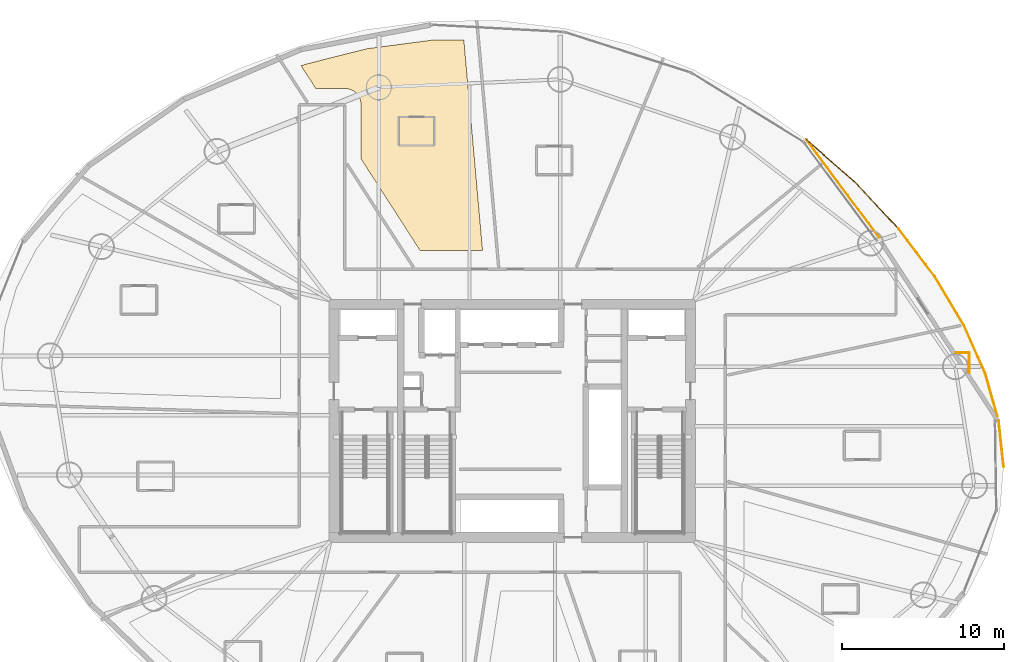
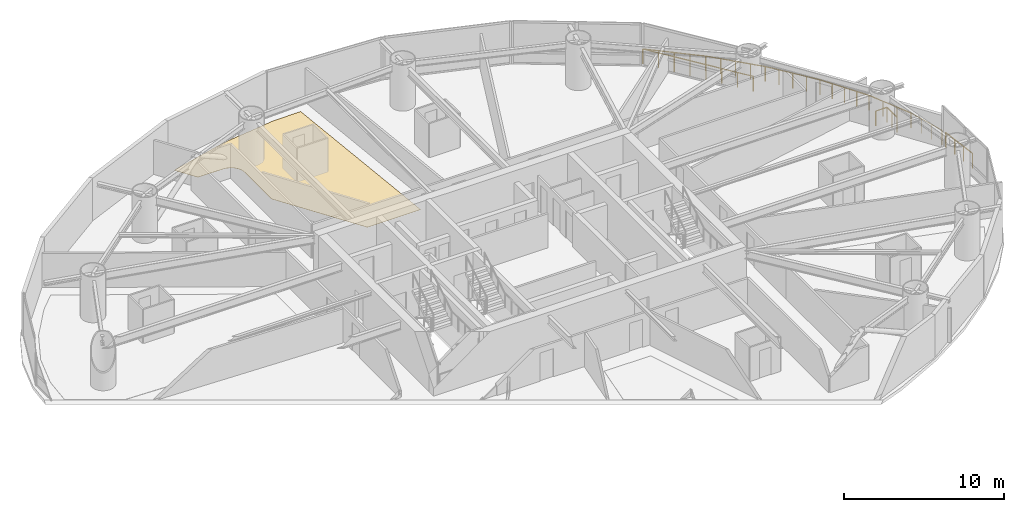
# One storey, part 26 of 26: 10 railings, 1 covering.
"""IFC4 building model written with IfcOpenShell, lengths in metres."""

from ifc_helpers import new_model, si_unit, direction, frame, origin, origin_2d, place, context, subcontext, project, spatial, polyline, circle, outline, extrude, material, layer, layer_set, type_object, element, save


model = new_model("IFC4")

# Units and contexts
model_context = context("Model", 3, precision=1e-05, world=origin(), true_north=direction((0.0, 1.0)))
body_context = subcontext(model_context, "Body", "Model", "MODEL_VIEW")
ifc_project = project(units=[si_unit("LENGTHUNIT", "METRE"), si_unit("AREAUNIT", "SQUARE_METRE"), si_unit("VOLUMEUNIT", "CUBIC_METRE"), si_unit("PLANEANGLEUNIT", "RADIAN"), si_unit("MASSUNIT", "GRAM", prefix="KILO")], contexts=[model_context])

# Site, building, storey
site_placement = place(None, origin())
site = spatial("IfcSite", under=ifc_project, at=site_placement, CompositionType="ELEMENT")
building_placement = place(site_placement, origin())
building = spatial("IfcBuilding", under=site, at=building_placement, Name="Bramvorn Convention Spire", CompositionType="ELEMENT")
storey_placement = place(building_placement, frame((0.0, 0.0, 76.39990234375)))
storey = spatial("IfcBuildingStorey", under=building, at=storey_placement, Name="L17", CompositionType="ELEMENT", Elevation=76.39990234375)

# Covering
ifc_material_1 = material(Name="Solution-Dyed Wool Broadloom Hospitality Carpet", Category="textile")
ifc_layer = layer(ifc_material_1, 0.014892578125)
ifc_layer_set = layer_set([ifc_layer], Name="Solution-Dyed Wool Broadloom Hospitality Carpet - FLR-CARPET-15")
covering_type = type_object("IfcCoveringType", Name="FLR-CARPET-15", PredefinedType="FLOORING", material=ifc_layer_set)
covering_placement = place(storey_placement, origin())
element("IfcCovering", 1, at=covering_placement, inside=storey, type_object=covering_type, Name="Hotel Suite 1704 wool broadloom carpet", PredefinedType="FLOORING", context=body_context, shape_type="SweptSolid", body=[
    extrude(outline(polyline([(25.22607421875, 48.003662109375), (24.9677734375, 47.90869140625), (25.86181640625, 46.52001953125), (27.805419921875, 46.508056640625), (28.179443359375, 46.37158203125), (28.33935546875, 46.251708984375), (28.521728515625, 46.029296875), (28.6123046875, 45.837890625), (28.6689453125, 45.544189453125), (28.669921875, 42.1572265625), (32.3115234375, 36.5), (36.16357421875, 36.5), (35.0078125, 49.5087890625), (33.04052734375, 49.489990234375), (29.07421875, 48.966796875), (25.22607421875, 48.003662109375)])), origin(), (0.0, 0.0, 1.0), 0.01513671875),
])

# Railings
ifc_material_2 = material(Name="Bronze Cap-Rail & Laminated Structural Glass Balustrade", Category="glass")
railing_type = type_object("IfcRailingType", Name="RL-TERR-GUARD-1150", PredefinedType="GUARDRAIL", material=ifc_material_2)
railing_1_placement = place(storey_placement, frame((65.38330078125, 30.2001953125, 0.0)))
element("IfcRailing", 2, at=railing_1_placement, inside=storey, type_object=railing_type, Name="L17 Sky Garden perimeter safety guardrail 1", PredefinedType="GUARDRAIL", context=body_context, shape_type="SweptSolid", body=[
    extrude(circle(Radius=0.02392578125, at=origin_2d()), frame((0.0, 0.0, 1.1259765625), z_axis=(0.999985417403, -0.0054004613, 0.0), x_axis=(0.0054004613, 0.999985417403, 0.0)), (0.0, 0.0, 1.0), 0.813720703125),
    extrude(circle(Radius=0.02099609375, at=origin_2d()), origin(), (0.0, 0.0, 1.0), 1.101806640625),
    extrude(circle(Radius=0.02099609375, at=origin_2d()), frame((0.813720703125, -0.00439453125, 0.0)), (0.0, 0.0, 1.0), 1.101806640625),
])
railing_2_placement = place(storey_placement, frame((66.197021484375, 30.19580078125, 0.0)))
element("IfcRailing", 3, at=railing_2_placement, inside=storey, type_object=railing_type, Name="L17 Sky Garden perimeter safety guardrail 2", PredefinedType="GUARDRAIL", context=body_context, shape_type="SweptSolid", body=[
    extrude(circle(Radius=0.02392578125, at=origin_2d()), frame((0.0, 0.0, 1.1259765625), z_axis=(0.001178086754, -0.999999306056, 0.0), x_axis=(0.999999306056, 0.001178086754, 0.0)), (0.0, 0.0, 1.0), 1.243408203125),
    extrude(circle(Radius=0.02099609375, at=origin_2d()), origin(), (0.0, 0.0, 1.0), 1.101806640625),
    extrude(circle(Radius=0.02099609375, at=origin_2d()), frame((0.000732421875, -0.62158203125, 0.0)), (0.0, 0.0, 1.0), 1.101806640625),
    extrude(circle(Radius=0.02099609375, at=origin_2d()), frame((0.00146484375, -1.243408203125, 0.0)), (0.0, 0.0, 1.0), 1.101806640625),
])
railing_3_placement = place(storey_placement, frame((67.927490234375, 26.307373046875, 0.0)))
element("IfcRailing", 4, at=railing_3_placement, inside=storey, type_object=railing_type, Name="L17 Sky Garden perimeter safety guardrail 3", PredefinedType="GUARDRAIL", context=body_context, shape_type="SweptSolid", body=[
    extrude(circle(Radius=0.02392578125, at=origin_2d()), frame((0.0, 0.0, 1.1259765625), z_axis=(-0.27168289249, 0.962386827595, 0.0), x_axis=(-0.962386827595, -0.27168289249, 0.0)), (0.0, 0.0, 1.0), 2.70751953125),
    extrude(circle(Radius=0.02099609375, at=origin_2d()), origin(), (0.0, 0.0, 1.0), 1.101806640625),
    extrude(circle(Radius=0.02099609375, at=origin_2d()), frame((-0.2451171875, 0.86865234375, 0.0)), (0.0, 0.0, 1.0), 1.101806640625),
    extrude(circle(Radius=0.02099609375, at=origin_2d()), frame((-0.490478515625, 1.737060546875, 0.0)), (0.0, 0.0, 1.0), 1.101806640625),
    extrude(circle(Radius=0.02099609375, at=origin_2d()), frame((-0.735595703125, 2.605712890625, 0.0)), (0.0, 0.0, 1.0), 1.101806640625),
])
railing_4_placement = place(storey_placement, frame((67.19189453125, 28.9130859375, 0.0)))
element("IfcRailing", 5, at=railing_4_placement, inside=storey, type_object=railing_type, Name="L17 Sky Garden perimeter safety guardrail 4", PredefinedType="GUARDRAIL", context=body_context, shape_type="SweptSolid", body=[
    extrude(circle(Radius=0.02392578125, at=origin_2d()), frame((0.0, 0.0, 1.1259765625), z_axis=(-0.405672523532, 0.914018491963, 0.0), x_axis=(-0.914018491963, -0.405672523532, 0.0)), (0.0, 0.0, 1.0), 3.257568359375),
    extrude(circle(Radius=0.02099609375, at=origin_2d()), origin(), (0.0, 0.0, 1.0), 1.101806640625),
    extrude(circle(Radius=0.02099609375, at=origin_2d()), frame((-0.4404296875, 0.992431640625, 0.0)), (0.0, 0.0, 1.0), 1.101806640625),
    extrude(circle(Radius=0.02099609375, at=origin_2d()), frame((-0.881103515625, 1.985107421875, 0.0)), (0.0, 0.0, 1.0), 1.101806640625),
    extrude(circle(Radius=0.02099609375, at=origin_2d()), frame((-1.321533203125, 2.9775390625, 0.0)), (0.0, 0.0, 1.0), 1.101806640625),
])
railing_5_placement = place(storey_placement, frame((65.870361328125, 31.890625, 0.0)))
element("IfcRailing", 6, at=railing_5_placement, inside=storey, type_object=railing_type, Name="L17 Sky Garden perimeter safety guardrail 5", PredefinedType="GUARDRAIL", context=body_context, shape_type="SweptSolid", body=[
    extrude(circle(Radius=0.02392578125, at=origin_2d()), frame((0.0, 0.0, 1.1259765625), z_axis=(-0.513694826975, 0.857972974364, 0.0), x_axis=(-0.857972974364, -0.513694826975, 0.0)), (0.0, 0.0, 1.0), 3.49755859375),
    extrude(circle(Radius=0.02099609375, at=origin_2d()), origin(), (0.0, 0.0, 1.0), 1.101806640625),
    extrude(circle(Radius=0.02099609375, at=origin_2d()), frame((-0.44921875, 0.750244140625, 0.0)), (0.0, 0.0, 1.0), 1.101806640625),
    extrude(circle(Radius=0.02099609375, at=origin_2d()), frame((-0.8984375, 1.50048828125, 0.0)), (0.0, 0.0, 1.0), 1.101806640625),
    extrude(circle(Radius=0.02099609375, at=origin_2d()), frame((-1.347412109375, 2.25048828125, 0.0)), (0.0, 0.0, 1.0), 1.101806640625),
    extrude(circle(Radius=0.02099609375, at=origin_2d()), frame((-1.796630859375, 3.000732421875, 0.0)), (0.0, 0.0, 1.0), 1.101806640625),
])
railing_6_placement = place(storey_placement, frame((64.07373046875, 34.891357421875, 0.0)))
element("IfcRailing", 7, at=railing_6_placement, inside=storey, type_object=railing_type, Name="L17 Sky Garden perimeter safety guardrail 6", PredefinedType="GUARDRAIL", context=body_context, shape_type="SweptSolid", body=[
    extrude(circle(Radius=0.02392578125, at=origin_2d()), frame((0.0, 0.0, 1.1259765625), z_axis=(-0.60337944103, 0.797454230751, 0.0), x_axis=(-0.797454230751, -0.60337944103, 0.0)), (0.0, 0.0, 1.0), 3.716064453125),
    extrude(circle(Radius=0.02099609375, at=origin_2d()), origin(), (0.0, 0.0, 1.0), 1.101806640625),
    extrude(circle(Radius=0.02099609375, at=origin_2d()), frame((-0.560546875, 0.74072265625, 0.0)), (0.0, 0.0, 1.0), 1.101806640625),
    extrude(circle(Radius=0.02099609375, at=origin_2d()), frame((-1.12109375, 1.481689453125, 0.0)), (0.0, 0.0, 1.0), 1.101806640625),
    extrude(circle(Radius=0.02099609375, at=origin_2d()), frame((-1.681640625, 2.22265625, 0.0)), (0.0, 0.0, 1.0), 1.101806640625),
    extrude(circle(Radius=0.02099609375, at=origin_2d()), frame((-2.2421875, 2.96337890625, 0.0)), (0.0, 0.0, 1.0), 1.101806640625),
])
railing_7_placement = place(storey_placement, frame((61.83154296875, 37.854736328125, 0.0)))
element("IfcRailing", 8, at=railing_7_placement, inside=storey, type_object=railing_type, Name="L17 Sky Garden perimeter safety guardrail 7", PredefinedType="GUARDRAIL", context=body_context, shape_type="SweptSolid", body=[
    extrude(circle(Radius=0.02392578125, at=origin_2d()), frame((0.0, 0.0, 1.1259765625), z_axis=(-0.681714922245, 0.731617909013, 0.0), x_axis=(-0.731617909013, -0.681714922245, 0.0)), (0.0, 0.0, 1.0), 3.894287109375),
    extrude(circle(Radius=0.02099609375, at=origin_2d()), origin(), (0.0, 0.0, 1.0), 1.101806640625),
    extrude(circle(Radius=0.02099609375, at=origin_2d()), frame((-0.66357421875, 0.71240234375, 0.0)), (0.0, 0.0, 1.0), 1.101806640625),
    extrude(circle(Radius=0.02099609375, at=origin_2d()), frame((-1.327392578125, 1.424560546875, 0.0)), (0.0, 0.0, 1.0), 1.101806640625),
    extrude(circle(Radius=0.02099609375, at=origin_2d()), frame((-1.9912109375, 2.13671875, 0.0)), (0.0, 0.0, 1.0), 1.101806640625),
    extrude(circle(Radius=0.02099609375, at=origin_2d()), frame((-2.65478515625, 2.84912109375, 0.0)), (0.0, 0.0, 1.0), 1.101806640625),
])
railing_8_placement = place(storey_placement, frame((59.1767578125, 40.703857421875, 0.0)))
element("IfcRailing", 9, at=railing_8_placement, inside=storey, type_object=railing_type, Name="L17 Sky Garden perimeter safety guardrail 8", PredefinedType="GUARDRAIL", context=body_context, shape_type="SweptSolid", body=[
    extrude(circle(Radius=0.02392578125, at=origin_2d()), frame((0.0, 0.0, 1.1259765625), z_axis=(-0.752888665589, 0.658147899205, 0.0), x_axis=(-0.658147899205, -0.752888665589, 0.0)), (0.0, 0.0, 1.0), 4.022705078125),
    extrude(circle(Radius=0.02099609375, at=origin_2d()), origin(), (0.0, 0.0, 1.0), 1.101806640625),
    extrude(circle(Radius=0.02099609375, at=origin_2d()), frame((-0.757080078125, 0.661865234375, 0.0)), (0.0, 0.0, 1.0), 1.101806640625),
    extrude(circle(Radius=0.02099609375, at=origin_2d()), frame((-1.51416015625, 1.32373046875, 0.0)), (0.0, 0.0, 1.0), 1.101806640625),
    extrude(circle(Radius=0.02099609375, at=origin_2d()), frame((-2.271484375, 1.985595703125, 0.0)), (0.0, 0.0, 1.0), 1.101806640625),
    extrude(circle(Radius=0.02099609375, at=origin_2d()), frame((-3.028564453125, 2.6474609375, 0.0)), (0.0, 0.0, 1.0), 1.101806640625),
])
railing_9_placement = place(storey_placement, frame((56.148193359375, 43.351318359375, 0.0)))
element("IfcRailing", 10, at=railing_9_placement, inside=storey, type_object=railing_type, Name="L17 Sky Garden perimeter safety guardrail 9", PredefinedType="GUARDRAIL", context=body_context, shape_type="SweptSolid", body=[
    extrude(circle(Radius=0.02392578125, at=origin_2d()), frame((0.0, 0.0, 1.1259765625), z_axis=(0.59668189991, -0.802477856591, 0.0), x_axis=(0.802477856591, 0.59668189991, 0.0)), (0.0, 0.0, 1.0), 7.534423828125),
    extrude(circle(Radius=0.02099609375, at=origin_2d()), origin(), (0.0, 0.0, 1.0), 1.101806640625),
    extrude(circle(Radius=0.02099609375, at=origin_2d()), frame((0.642333984375, -0.86376953125, 0.0)), (0.0, 0.0, 1.0), 1.101806640625),
    extrude(circle(Radius=0.02099609375, at=origin_2d()), frame((1.284423828125, -1.7275390625, 0.0)), (0.0, 0.0, 1.0), 1.101806640625),
    extrude(circle(Radius=0.02099609375, at=origin_2d()), frame((1.9267578125, -2.59130859375, 0.0)), (0.0, 0.0, 1.0), 1.101806640625),
    extrude(circle(Radius=0.02099609375, at=origin_2d()), frame((2.56884765625, -3.454833984375, 0.0)), (0.0, 0.0, 1.0), 1.101806640625),
    extrude(circle(Radius=0.02099609375, at=origin_2d()), frame((3.211181640625, -4.318603515625, 0.0)), (0.0, 0.0, 1.0), 1.101806640625),
    extrude(circle(Radius=0.02099609375, at=origin_2d()), frame((3.853271484375, -5.182373046875, 0.0)), (0.0, 0.0, 1.0), 1.101806640625),
    extrude(circle(Radius=0.02099609375, at=origin_2d()), frame((4.49560546875, -6.046142578125, 0.0)), (0.0, 0.0, 1.0), 1.101806640625),
])
railing_10_placement = place(storey_placement, frame((68.014404296875, 26.0, 0.0)))
element("IfcRailing", 11, at=railing_10_placement, inside=storey, type_object=railing_type, Name="L17 Sky Garden junction edge safety guardrail 10", PredefinedType="GUARDRAIL", context=body_context, shape_type="SweptSolid", body=[
    extrude(circle(Radius=0.02392578125, at=origin_2d()), frame((0.0, 0.0, 1.1259765625), z_axis=(0.107100651566, -0.994248183521, 0.0), x_axis=(0.994248183521, 0.107100651566, 0.0)), (0.0, 0.0, 1.0), 2.84033203125),
    extrude(circle(Radius=0.02099609375, at=origin_2d()), origin(), (0.0, 0.0, 1.0), 1.101806640625),
    extrude(circle(Radius=0.02099609375, at=origin_2d()), frame((0.101318359375, -0.94140625, 0.0)), (0.0, 0.0, 1.0), 1.101806640625),
    extrude(circle(Radius=0.02099609375, at=origin_2d()), frame((0.202880859375, -1.882568359375, 0.0)), (0.0, 0.0, 1.0), 1.101806640625),
    extrude(circle(Radius=0.02099609375, at=origin_2d()), frame((0.30419921875, -2.823974609375, 0.0)), (0.0, 0.0, 1.0), 1.101806640625),
])

save(model, "model.ifc")
